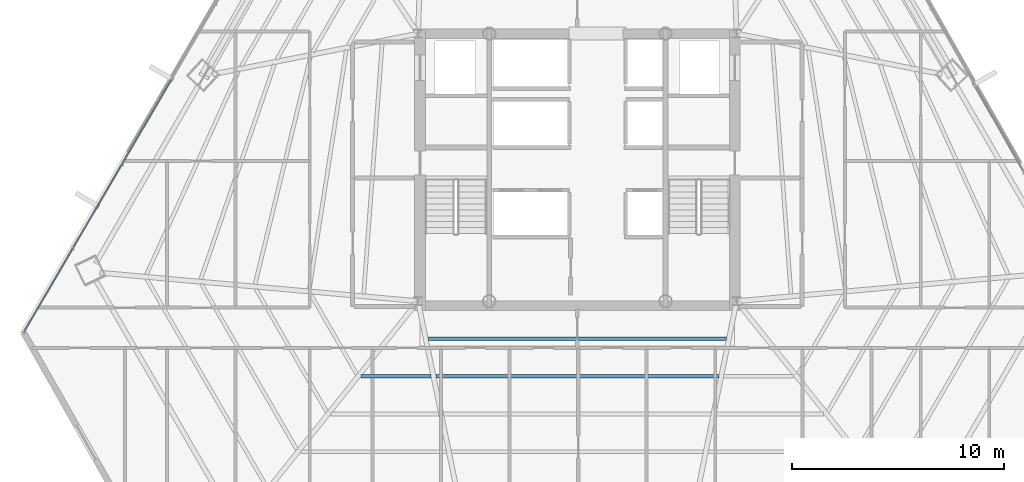
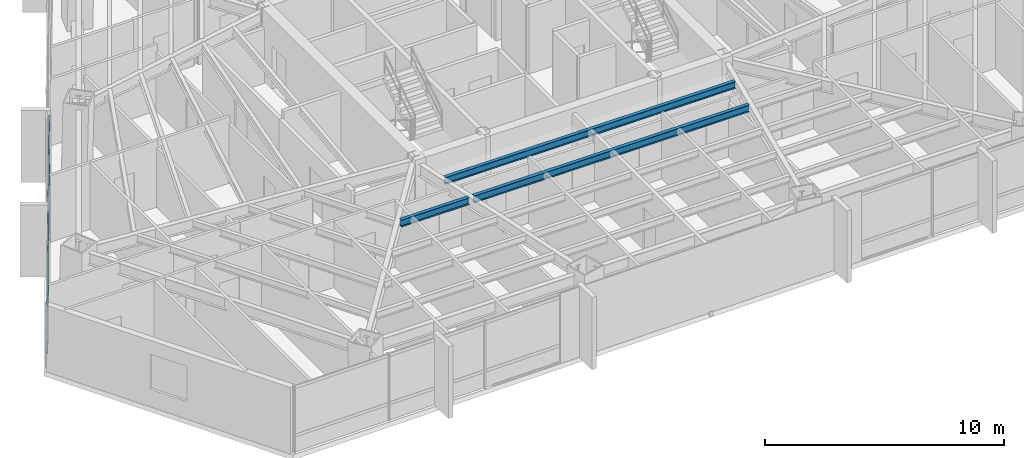
# One storey, part 9 of 35: 3 beams, 2 members, 1 element without a shape of its own.
"""IFC4 building model written with IfcOpenShell, lengths in metres."""

from ifc_helpers import new_model, si_unit, direction, frame, origin, origin_2d, place, context, subcontext, project, spatial, hollow_rectangle, i_section, extrude, source, transform, mapped, material, material_profile, profile_set, type_object, type_shapes, element, aggregate, save


model = new_model("IFC4")

# Units and contexts
model_context = context("Model", 3, precision=1e-05, world=origin(), true_north=direction((0.0, 1.0)))
body_context = subcontext(model_context, "Body", "Model", "MODEL_VIEW")
ifc_project = project(units=[si_unit("LENGTHUNIT", "METRE"), si_unit("AREAUNIT", "SQUARE_METRE"), si_unit("VOLUMEUNIT", "CUBIC_METRE"), si_unit("PLANEANGLEUNIT", "RADIAN"), si_unit("MASSUNIT", "GRAM", prefix="KILO")], contexts=[model_context])

# Site, building, storey
site_placement = place(None, origin())
site = spatial("IfcSite", under=ifc_project, at=site_placement, CompositionType="ELEMENT")
building_placement = place(site_placement, origin())
building = spatial("IfcBuilding", under=site, at=building_placement, Name="Caelisora Broadcast Tower", CompositionType="ELEMENT")
storey_placement = place(building_placement, frame((0.0, 0.0, 123.64990234375)))
storey = spatial("IfcBuildingStorey", under=building, at=storey_placement, Name="L32", CompositionType="ELEMENT", Elevation=123.64990234375)

# Beams
ifc_material_1 = material(Name="Steel Grade 350 (AS/NZS 3679.1)", Category="steel")
ifc_material_profile_1 = material_profile(ifc_material_1, i_section(OverallWidth=0.172119140625, OverallDepth=0.358642578125, WebThickness=0.008056640625, FlangeThickness=0.012939453125, at=origin_2d()), Name="Steel Grade 350 (AS/NZS 3679.1)")
ifc_profile_set_1 = profile_set([ifc_material_profile_1], Name="Steel Grade 350 (AS/NZS 3679.1)")
beam_type = type_object("IfcBeamType", Name="SB02", PredefinedType="JOIST", material=ifc_profile_set_1)
shared_shape_1 = source(origin(), body_context, "Body", "SweptSolid", [
    extrude(i_section(OverallWidth=0.172119140625, OverallDepth=0.358642578125, WebThickness=0.008056640625, FlangeThickness=0.012939453125, at=origin_2d()), origin(), (0.0, 0.0, 1.0), 3.293701171875),
])
beam_1_placement = place(storey_placement, frame((27.81787109375, 13.8583984375, 3.220703125), z_axis=(1.0, 0.0, 0.0), x_axis=(0.0, 1.0, 0.0)))
element("IfcBeam", 1, at=beam_1_placement, inside=storey, type_object=beam_type, Name="L32 beam SB02", PredefinedType="JOIST", context=body_context, shape_type="MappedRepresentation", body=[
    mapped(shared_shape_1, transform((0.0, 0.0, 0.0), scale=1.0)),
])
shared_shape_2 = source(origin(), body_context, "Body", "SweptSolid", [
    extrude(i_section(OverallWidth=0.172119140625, OverallDepth=0.358642578125, WebThickness=0.008056640625, FlangeThickness=0.012939453125, at=origin_2d()), origin(), (0.0, 0.0, 1.0), 14.04833984375),
])
beam_2_placement = place(storey_placement, frame((30.975830078125, 15.629150390625, 3.220703125), z_axis=(1.0, 0.0, 0.0), x_axis=(0.0, 1.0, 0.0)))
element("IfcBeam", 2, at=beam_2_placement, inside=storey, type_object=beam_type, Name="L32 beam SB02", PredefinedType="JOIST", context=body_context, shape_type="MappedRepresentation", body=[
    mapped(shared_shape_2, transform((0.0, 0.0, 0.0), scale=1.0)),
])
shared_shape_3 = source(origin(), body_context, "Body", "SweptSolid", [
    extrude(i_section(OverallWidth=0.172119140625, OverallDepth=0.358642578125, WebThickness=0.008056640625, FlangeThickness=0.012939453125, at=origin_2d()), origin(), (0.0, 0.0, 1.0), 13.3232421875),
])
type_shapes(beam_type, [shared_shape_1, shared_shape_2, shared_shape_3])
beam_3_placement = place(storey_placement, frame((31.33837890625, 13.8583984375, 3.220703125), z_axis=(1.0, 0.0, 0.0), x_axis=(0.0, 1.0, 0.0)))
element("IfcBeam", 3, at=beam_3_placement, inside=storey, type_object=beam_type, Name="L32 beam SB02", PredefinedType="JOIST", context=body_context, shape_type="MappedRepresentation", body=[
    mapped(shared_shape_3, transform((0.0, 0.0, 0.0), scale=1.0)),
])

# Curtain wall, members
ifc_material_2 = material(Name="Unitised Aluminium and Low-E Glass Curtain Wall", Category="glass")
curtain_wall_type = type_object("IfcCurtainWallType", Name="CW-Z2", PredefinedType="NOTDEFINED", material=ifc_material_2)
curtain_wall_placement = place(storey_placement, origin())
curtain_wall = element("IfcCurtainWall", 4, at=curtain_wall_placement, inside=storey, type_object=curtain_wall_type, Name="L32 curtain wall CW-Z2", PredefinedType="NOTDEFINED")
ifc_material_3 = material(Name="Aluminium 6063-T6 Anodised Terracotta Bronze", Category="aluminium")
ifc_material_profile_2 = material_profile(ifc_material_3, hollow_rectangle(XDim=0.06005859375, YDim=0.14990234375, WallThickness=0.00341796875, at=origin_2d()), Name="Aluminium 6063-T6 Anodised Terracotta Bronze")
ifc_profile_set_2 = profile_set([ifc_material_profile_2], Name="Aluminium 6063-T6 Anodised Terracotta Bronze")
member_type = type_object("IfcMemberType", Name="CWT-02", PredefinedType="USERDEFINED", material=ifc_profile_set_2)
shared_shape_4 = source(origin(), body_context, "Body", "SweptSolid", [
    extrude(hollow_rectangle(XDim=0.06005859375, YDim=0.14990234375, WallThickness=0.00341796875, at=origin_2d()), origin(), (0.0, 0.0, 1.0), 13.72509765625),
])
type_shapes(member_type, [shared_shape_4])
member_1_placement = place(storey_placement, frame((11.955078125, 15.963134765625, 0.85009765625), z_axis=(0.50453667876, 0.86339025926, 0.0), x_axis=(-0.86339025926, 0.50453667876, 0.0)))
member_1 = element("IfcMember", 5, at=member_1_placement, type_object=member_type, Name="L32-CW-B09 transom #1", ObjectType="TRANSOM", PredefinedType="USERDEFINED", context=body_context, shape_type="MappedRepresentation", body=[
    mapped(shared_shape_4, transform((0.0, 0.0, 0.0), scale=1.0)),
])
member_2_placement = place(storey_placement, frame((11.955078125, 15.963134765625, 3.320068359375), z_axis=(0.50453667876, 0.86339025926, 0.0), x_axis=(-0.86339025926, 0.50453667876, 0.0)))
member_2 = element("IfcMember", 6, at=member_2_placement, type_object=member_type, Name="L32-CW-B09 transom #2", ObjectType="TRANSOM", PredefinedType="USERDEFINED", context=body_context, shape_type="MappedRepresentation", body=[
    mapped(shared_shape_4, transform((0.0, 0.0, 0.0), scale=1.0)),
])
aggregate(curtain_wall, [member_1, member_2])

save(model, "model.ifc")
